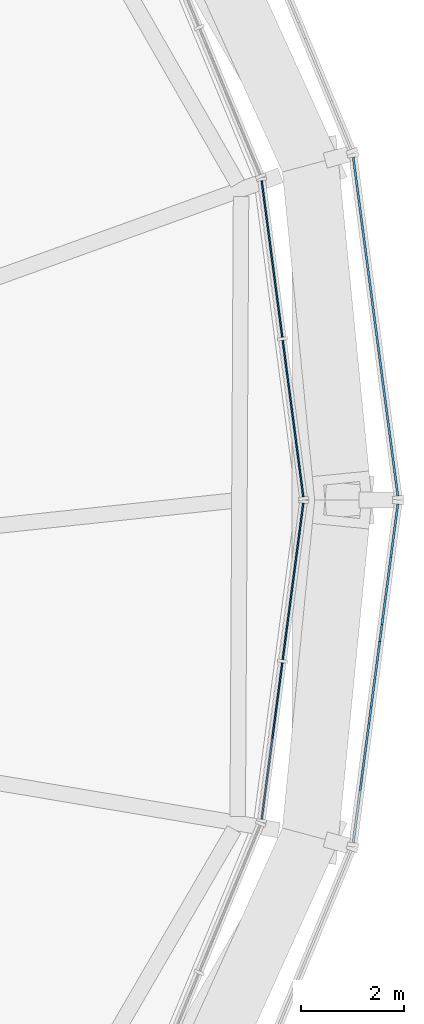
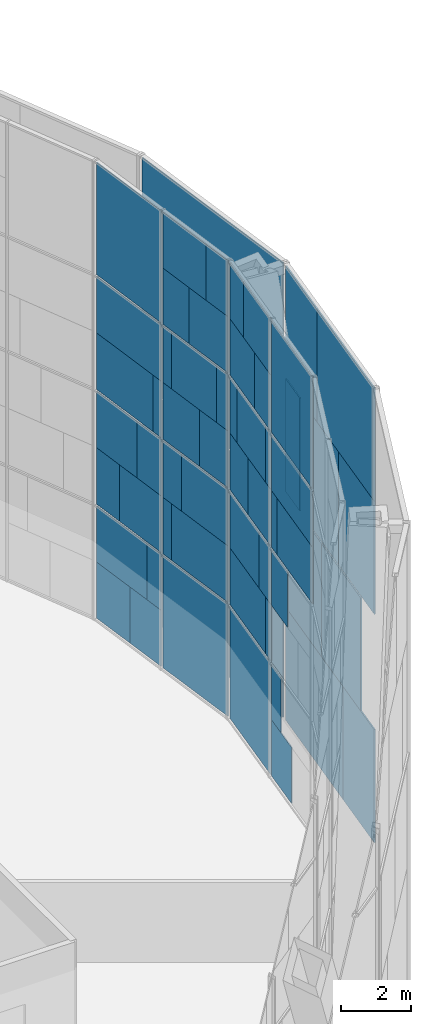
# One storey, part 20 of 30: 58 plates, 4 elements without a shape of their own.
"""IFC4 building model written with IfcOpenShell, lengths in metres."""

from ifc_helpers import new_model, si_unit, direction, frame, origin, origin_2d, place, context, subcontext, project, spatial, rectangle, extrude, material, layer, layer_set, type_object, element, aggregate, save


model = new_model("IFC4")

# Units and contexts
model_context = context("Model", 3, precision=1e-05, world=origin(), true_north=direction((0.0, 1.0)))
body_context = subcontext(model_context, "Body", "Model", "MODEL_VIEW")
ifc_project = project(units=[si_unit("LENGTHUNIT", "METRE"), si_unit("AREAUNIT", "SQUARE_METRE"), si_unit("VOLUMEUNIT", "CUBIC_METRE"), si_unit("PLANEANGLEUNIT", "RADIAN"), si_unit("MASSUNIT", "GRAM", prefix="KILO")], contexts=[model_context])

# Site, building, storey
site_placement = place(None, origin())
site = spatial("IfcSite", under=ifc_project, at=site_placement, CompositionType="ELEMENT")
building_placement = place(site_placement, origin())
building = spatial("IfcBuilding", under=site, at=building_placement, Name="Golbaran Civic Tower", CompositionType="ELEMENT")
storey_placement = place(building_placement, frame((0.0, 0.0, 167.0)))
storey = spatial("IfcBuildingStorey", under=building, at=storey_placement, Name="L40", CompositionType="ELEMENT", Elevation=167.0)

# Curtain wall, plates
ifc_material_1 = material(Name="Aluminium and glass", Category="aluminium")
curtain_wall_type_1 = type_object("IfcCurtainWallType", Name="INNER SKIN CURTAIN WALL EXECUTIVE", PredefinedType="NOTDEFINED", material=ifc_material_1)
curtain_wall_1_placement = place(storey_placement, origin())
curtain_wall_1 = element("IfcCurtainWall", 1, at=curtain_wall_1_placement, inside=storey, type_object=curtain_wall_type_1, Name="Inner skin L40 facet 1 CW2", ObjectType="INNER SKIN", PredefinedType="USERDEFINED")
ifc_material_2 = material(Name="Clear insulating glass", Category="glass")
ifc_layer_1 = layer(ifc_material_2, 0.031982421875, Name="Clear insulating glass")
ifc_layer_set_1 = layer_set([ifc_layer_1], Name="Clear insulating glass")
plate_type_1 = type_object("IfcPlateType", Name="INNER SKIN CURTAIN WALL EXECUTIVE GLAZED PANEL", PredefinedType="CURTAIN_PANEL", material=ifc_layer_set_1)
plate_1_placement = place(storey_placement, frame((23.8759765625, 1.5732421875, 0.06005859375), z_axis=(0.0, 0.0, 1.0), x_axis=(-0.130526192151, 0.991444861383, 0.0)))
plate_1 = element("IfcPlate", 2, at=plate_1_placement, type_object=plate_type_1, Name="CW2 panel 1.1", PredefinedType="CURTAIN_PANEL", context=body_context, shape_type="SweptSolid", body=[
    extrude(rectangle(XDim=3.053466796875, YDim=0.031982421875, at=origin_2d()), origin(), (0.0, 0.0, 1.0), 3.909912109375),
])
plate_2_placement = place(storey_placement, frame((23.902099609375, 1.3740234375, 4.02978515625), z_axis=(0.0, 0.0, 1.0), x_axis=(-0.130526192151, 0.991444861383, 0.0)))
plate_2 = element("IfcPlate", 3, at=plate_2_placement, type_object=plate_type_1, Name="CW2 panel 1.2 part 1", PredefinedType="CURTAIN_PANEL", context=body_context, shape_type="SweptSolid", body=[
    extrude(rectangle(XDim=2.652099609375, YDim=0.031982421875, at=origin_2d()), origin(), (0.0, 0.0, 1.0), 1.969970703125),
])
plate_3_placement = place(storey_placement, frame((23.93359375, 1.134765625, 6.0), z_axis=(0.0, 0.0, 1.0), x_axis=(-0.130526192151, 0.991444861383, 0.0)))
plate_3 = element("IfcPlate", 4, at=plate_3_placement, type_object=plate_type_1, Name="CW2 panel 1.2 part 3", PredefinedType="CURTAIN_PANEL", context=body_context, shape_type="SweptSolid", body=[
    extrude(rectangle(XDim=2.1689453125, YDim=0.031982421875, at=origin_2d()), origin(), (0.0, 0.0, 1.0), 1.969970703125),
])
plate_4_placement = place(storey_placement, frame((23.987548828125, 0.724853515625, 8.02978515625), z_axis=(0.0, 0.0, 1.0), x_axis=(-0.130526192151, 0.991444861383, 0.0)))
plate_4 = element("IfcPlate", 5, at=plate_4_placement, type_object=plate_type_1, Name="CW2 panel 1.3 part 1", PredefinedType="CURTAIN_PANEL", context=body_context, shape_type="SweptSolid", body=[
    extrude(rectangle(XDim=1.342041015625, YDim=0.031982421875, at=origin_2d()), origin(), (0.0, 0.0, 1.0), 1.969970703125),
])
plate_5_placement = place(storey_placement, frame((24.0400390625, 0.3271484375, 10.0), z_axis=(0.0, 0.0, 1.0), x_axis=(-0.130526192151, 0.991444861383, 0.0)))
plate_5 = element("IfcPlate", 6, at=plate_5_placement, type_object=plate_type_1, Name="CW2 panel 1.3 part 3", PredefinedType="CURTAIN_PANEL", context=body_context, shape_type="SweptSolid", body=[
    extrude(rectangle(XDim=0.5400390625, YDim=0.031982421875, at=origin_2d()), origin(), (0.0, 0.0, 1.0), 1.969970703125),
])
plate_6_placement = place(storey_placement, frame((23.703125, 2.884765625, 10.0), z_axis=(0.0, 0.0, 1.0), x_axis=(-0.130526192151, 0.991444861383, 0.0)))
plate_6 = element("IfcPlate", 7, at=plate_6_placement, type_object=plate_type_1, Name="CW2 panel 1.3 part 5", PredefinedType="CURTAIN_PANEL", context=body_context, shape_type="SweptSolid", body=[
    extrude(rectangle(XDim=0.407470703125, YDim=0.031982421875, at=origin_2d()), origin(), (0.0, 0.0, 1.0), 1.969970703125),
])
plate_7_placement = place(storey_placement, frame((23.757080078125, 2.475341796875, 12.030029296875), z_axis=(0.0, 0.0, 1.0), x_axis=(-0.130526192151, 0.991444861383, 0.0)))
plate_7 = element("IfcPlate", 8, at=plate_7_placement, type_object=plate_type_1, Name="CW2 panel 1.4 part 2", PredefinedType="CURTAIN_PANEL", context=body_context, shape_type="SweptSolid", body=[
    extrude(rectangle(XDim=1.2333984375, YDim=0.031982421875, at=origin_2d()), origin(), (0.0, 0.0, 1.0), 1.955078125),
])
plate_8_placement = place(storey_placement, frame((23.80908203125, 2.080810546875, 13.98486328125), z_axis=(0.0, 0.0, 1.0), x_axis=(-0.130526192151, 0.991444861383, 0.0)))
plate_8 = element("IfcPlate", 9, at=plate_8_placement, type_object=plate_type_1, Name="CW2 panel 1.4 part 4", PredefinedType="CURTAIN_PANEL", context=body_context, shape_type="SweptSolid", body=[
    extrude(rectangle(XDim=2.029541015625, YDim=0.031982421875, at=origin_2d()), origin(), (0.0, 0.0, 1.0), 1.955078125),
])
plate_9_placement = place(storey_placement, frame((23.572265625, 3.8798828125, 0.06005859375), z_axis=(0.0, 0.0, 1.0), x_axis=(-0.130526192151, 0.991444861383, 0.0)))
plate_9 = element("IfcPlate", 10, at=plate_9_placement, type_object=plate_type_1, Name="CW2 panel 2.1 part 1", PredefinedType="CURTAIN_PANEL", context=body_context, shape_type="SweptSolid", body=[
    extrude(rectangle(XDim=1.47998046875, YDim=0.031982421875, at=origin_2d()), origin(), (0.0, 0.0, 1.0), 1.955078125),
])
plate_10_placement = place(storey_placement, frame((23.6240234375, 3.4853515625, 2.014892578125), z_axis=(0.0, 0.0, 1.0), x_axis=(-0.130526192151, 0.991444861383, 0.0)))
plate_10 = element("IfcPlate", 11, at=plate_10_placement, type_object=plate_type_1, Name="CW2 panel 2.1 part 3", PredefinedType="CURTAIN_PANEL", context=body_context, shape_type="SweptSolid", body=[
    extrude(rectangle(XDim=0.68408203125, YDim=0.031982421875, at=origin_2d()), origin(), (0.0, 0.0, 1.0), 1.955078125),
])
plate_11_placement = place(storey_placement, frame((23.34130859375, 5.633544921875, 4.02978515625), z_axis=(0.0, 0.0, 1.0), x_axis=(-0.130526192151, 0.991444861383, 0.0)))
plate_11 = element("IfcPlate", 12, at=plate_11_placement, type_object=plate_type_1, Name="CW2 panel 2.2 part 2", PredefinedType="CURTAIN_PANEL", context=body_context, shape_type="SweptSolid", body=[
    extrude(rectangle(XDim=1.08935546875, YDim=0.031982421875, at=origin_2d()), origin(), (0.0, 0.0, 1.0), 1.969970703125),
])
plate_12_placement = place(storey_placement, frame((23.393798828125, 5.235595703125, 6.0), z_axis=(0.0, 0.0, 1.0), x_axis=(-0.130526192151, 0.991444861383, 0.0)))
plate_12 = element("IfcPlate", 13, at=plate_12_placement, type_object=plate_type_1, Name="CW2 panel 2.2 part 4", PredefinedType="CURTAIN_PANEL", context=body_context, shape_type="SweptSolid", body=[
    extrude(rectangle(XDim=1.892578125, YDim=0.031982421875, at=origin_2d()), origin(), (0.0, 0.0, 1.0), 1.969970703125),
])
plate_13_placement = place(storey_placement, frame((23.443359375, 4.85888671875, 8.02978515625), z_axis=(0.0, 0.0, 1.0), x_axis=(-0.130526192151, 0.991444861383, 0.0)))
plate_13 = element("IfcPlate", 14, at=plate_13_placement, type_object=plate_type_1, Name="CW2 panel 2.3 part 2", PredefinedType="CURTAIN_PANEL", context=body_context, shape_type="SweptSolid", body=[
    extrude(rectangle(XDim=2.65234375, YDim=0.031982421875, at=origin_2d()), origin(), (0.0, 0.0, 1.0), 1.969970703125),
])
plate_14_placement = place(storey_placement, frame((23.469482421875, 4.659912109375, 10.0), z_axis=(0.0, 0.0, 1.0), x_axis=(-0.130526192151, 0.991444861383, 0.0)))
plate_14 = element("IfcPlate", 15, at=plate_14_placement, type_object=plate_type_1, Name="CW2 panel 2.3 part 3", PredefinedType="CURTAIN_PANEL", context=body_context, shape_type="SweptSolid", body=[
    extrude(rectangle(XDim=3.053466796875, YDim=0.031982421875, at=origin_2d()), origin(), (0.0, 0.0, 1.0), 1.969970703125),
])
plate_15_placement = place(storey_placement, frame((23.469482421875, 4.659912109375, 12.0302734375), z_axis=(0.0, 0.0, 1.0), x_axis=(-0.130526192151, 0.991444861383, 0.0)))
plate_15 = element("IfcPlate", 16, at=plate_15_placement, type_object=plate_type_1, Name="CW2 panel 2.4", PredefinedType="CURTAIN_PANEL", context=body_context, shape_type="SweptSolid", body=[
    extrude(rectangle(XDim=3.053466796875, YDim=0.031982421875, at=origin_2d()), origin(), (0.0, 0.0, 1.0), 3.909912109375),
])

curtain_wall_2_placement = place(storey_placement, origin())
curtain_wall_2 = element("IfcCurtainWall", 17, at=curtain_wall_2_placement, inside=storey, type_object=curtain_wall_type_1, Name="Inner skin L40 facet 24 CW2", ObjectType="INNER SKIN", PredefinedType="USERDEFINED")
plate_16_placement = place(storey_placement, frame((23.572265625, -3.879638671875, 0.06005859375), z_axis=(0.0, 0.0, 1.0), x_axis=(0.130526192151, 0.991444861383, 0.0)))
plate_16 = element("IfcPlate", 18, at=plate_16_placement, type_object=plate_type_1, Name="CW2 panel 1.1 part 2", PredefinedType="CURTAIN_PANEL", context=body_context, shape_type="SweptSolid", body=[
    extrude(rectangle(XDim=1.4794921875, YDim=0.031982421875, at=origin_2d()), origin(), (0.0, 0.0, 1.0), 1.955078125),
])
plate_17_placement = place(storey_placement, frame((23.624267578125, -3.485107421875, 2.014892578125), z_axis=(0.0, 0.0, 1.0), x_axis=(0.130526192151, 0.991444861383, 0.0)))
plate_17 = element("IfcPlate", 19, at=plate_17_placement, type_object=plate_type_1, Name="CW2 panel 1.1 part 4", PredefinedType="CURTAIN_PANEL", context=body_context, shape_type="SweptSolid", body=[
    extrude(rectangle(XDim=0.683349609375, YDim=0.031982421875, at=origin_2d()), origin(), (0.0, 0.0, 1.0), 1.955078125),
])
plate_18_placement = place(storey_placement, frame((23.443359375, -4.85888671875, 8.02978515625), z_axis=(0.0, 0.0, 1.0), x_axis=(0.130526192151, 0.991444861383, 0.0)))
plate_18 = element("IfcPlate", 20, at=plate_18_placement, type_object=plate_type_1, Name="CW2 panel 1.3 part 1", PredefinedType="CURTAIN_PANEL", context=body_context, shape_type="SweptSolid", body=[
    extrude(rectangle(XDim=2.652099609375, YDim=0.031982421875, at=origin_2d()), origin(), (0.0, 0.0, 1.0), 1.969970703125),
])
plate_19_placement = place(storey_placement, frame((23.469482421875, -4.659912109375, 10.0), z_axis=(0.0, 0.0, 1.0), x_axis=(0.130526192151, 0.991444861383, 0.0)))
plate_19 = element("IfcPlate", 21, at=plate_19_placement, type_object=plate_type_1, Name="CW2 panel 1.3 part 3", PredefinedType="CURTAIN_PANEL", context=body_context, shape_type="SweptSolid", body=[
    extrude(rectangle(XDim=3.053466796875, YDim=0.031982421875, at=origin_2d()), origin(), (0.0, 0.0, 1.0), 1.969970703125),
])
plate_20_placement = place(storey_placement, frame((23.469482421875, -4.659912109375, 12.0302734375), z_axis=(0.0, 0.0, 1.0), x_axis=(0.130526192151, 0.991444861383, 0.0)))
plate_20 = element("IfcPlate", 22, at=plate_20_placement, type_object=plate_type_1, Name="CW2 panel 1.4", PredefinedType="CURTAIN_PANEL", context=body_context, shape_type="SweptSolid", body=[
    extrude(rectangle(XDim=3.053466796875, YDim=0.031982421875, at=origin_2d()), origin(), (0.0, 0.0, 1.0), 3.909912109375),
])
plate_21_placement = place(storey_placement, frame((23.8759765625, -1.5732421875, 0.06005859375), z_axis=(0.0, 0.0, 1.0), x_axis=(0.130526192151, 0.991444861383, 0.0)))
plate_21 = element("IfcPlate", 23, at=plate_21_placement, type_object=plate_type_1, Name="CW2 panel 2.1", PredefinedType="CURTAIN_PANEL", context=body_context, shape_type="SweptSolid", body=[
    extrude(rectangle(XDim=3.053466796875, YDim=0.031982421875, at=origin_2d()), origin(), (0.0, 0.0, 1.0), 3.909912109375),
])
plate_22_placement = place(storey_placement, frame((23.902099609375, -1.374267578125, 4.02978515625), z_axis=(0.0, 0.0, 1.0), x_axis=(0.130526192151, 0.991444861383, 0.0)))
plate_22 = element("IfcPlate", 24, at=plate_22_placement, type_object=plate_type_1, Name="CW2 panel 2.2 part 2", PredefinedType="CURTAIN_PANEL", context=body_context, shape_type="SweptSolid", body=[
    extrude(rectangle(XDim=2.65234375, YDim=0.031982421875, at=origin_2d()), origin(), (0.0, 0.0, 1.0), 1.969970703125),
])
plate_23_placement = place(storey_placement, frame((23.93359375, -1.134521484375, 6.0), z_axis=(0.0, 0.0, 1.0), x_axis=(0.130526192151, 0.991444861383, 0.0)))
plate_23 = element("IfcPlate", 25, at=plate_23_placement, type_object=plate_type_1, Name="CW2 panel 2.2 part 4", PredefinedType="CURTAIN_PANEL", context=body_context, shape_type="SweptSolid", body=[
    extrude(rectangle(XDim=2.16845703125, YDim=0.031982421875, at=origin_2d()), origin(), (0.0, 0.0, 1.0), 1.969970703125),
])
plate_24_placement = place(storey_placement, frame((23.987548828125, -0.724853515625, 8.02978515625), z_axis=(0.0, 0.0, 1.0), x_axis=(0.130526192151, 0.991444861383, 0.0)))
plate_24 = element("IfcPlate", 26, at=plate_24_placement, type_object=plate_type_1, Name="CW2 panel 2.3 part 2", PredefinedType="CURTAIN_PANEL", context=body_context, shape_type="SweptSolid", body=[
    extrude(rectangle(XDim=1.342529296875, YDim=0.031982421875, at=origin_2d()), origin(), (0.0, 0.0, 1.0), 1.969970703125),
])
plate_25_placement = place(storey_placement, frame((23.703125, -2.885009765625, 10.0), z_axis=(0.0, 0.0, 1.0), x_axis=(0.130526192151, 0.991444861383, 0.0)))
plate_25 = element("IfcPlate", 27, at=plate_25_placement, type_object=plate_type_1, Name="CW2 panel 2.3 part 3", PredefinedType="CURTAIN_PANEL", context=body_context, shape_type="SweptSolid", body=[
    extrude(rectangle(XDim=0.406982421875, YDim=0.031982421875, at=origin_2d()), origin(), (0.0, 0.0, 1.0), 1.969970703125),
])
plate_26_placement = place(storey_placement, frame((24.0400390625, -0.326904296875, 10.0), z_axis=(0.0, 0.0, 1.0), x_axis=(0.130526192151, 0.991444861383, 0.0)))
plate_26 = element("IfcPlate", 28, at=plate_26_placement, type_object=plate_type_1, Name="CW2 panel 2.3 part 5", PredefinedType="CURTAIN_PANEL", context=body_context, shape_type="SweptSolid", body=[
    extrude(rectangle(XDim=0.53955078125, YDim=0.031982421875, at=origin_2d()), origin(), (0.0, 0.0, 1.0), 1.969970703125),
])
plate_27_placement = place(storey_placement, frame((23.757080078125, -2.47509765625, 12.030029296875), z_axis=(0.0, 0.0, 1.0), x_axis=(0.130526192151, 0.991444861383, 0.0)))
plate_27 = element("IfcPlate", 29, at=plate_27_placement, type_object=plate_type_1, Name="CW2 panel 2.4 part 1", PredefinedType="CURTAIN_PANEL", context=body_context, shape_type="SweptSolid", body=[
    extrude(rectangle(XDim=1.23388671875, YDim=0.031982421875, at=origin_2d()), origin(), (0.0, 0.0, 1.0), 1.955078125),
])
plate_28_placement = place(storey_placement, frame((23.80908203125, -2.08056640625, 13.98486328125), z_axis=(0.0, 0.0, 1.0), x_axis=(0.130526192151, 0.991444861383, 0.0)))
plate_28 = element("IfcPlate", 30, at=plate_28_placement, type_object=plate_type_1, Name="CW2 panel 2.4 part 3", PredefinedType="CURTAIN_PANEL", context=body_context, shape_type="SweptSolid", body=[
    extrude(rectangle(XDim=2.030029296875, YDim=0.031982421875, at=origin_2d()), origin(), (0.0, 0.0, 1.0), 1.955078125),
])

# Plate
ifc_material_3 = material(Name="Aluminium faced opaque infill panel", Category="aluminium")
ifc_layer_2 = layer(ifc_material_3, 0.031982421875, Name="Aluminium faced opaque infill panel")
ifc_layer_set_2 = layer_set([ifc_layer_2], Name="Aluminium faced opaque infill panel")
plate_type_2 = type_object("IfcPlateType", Name="INNER SKIN CURTAIN WALL EXECUTIVE OPAQUE INFILL PANEL", PredefinedType="CURTAIN_PANEL", material=ifc_layer_set_2)
plate_29_placement = place(storey_placement, frame((23.702880859375, 2.8876953125, 4.02978515625), z_axis=(0.0, 0.0, 1.0), x_axis=(-0.130526192151, 0.991444861383, 0.0)))
plate_29 = element("IfcPlate", 31, at=plate_29_placement, type_object=plate_type_2, Name="CW2 infill panel 1.2 part 2", PredefinedType="CURTAIN_PANEL", context=body_context, shape_type="SweptSolid", body=[
    extrude(rectangle(XDim=0.4013671875, YDim=0.031982421875, at=origin_2d()), origin(), (0.0, 0.0, 1.0), 1.969970703125),
])

plate_30_placement = place(storey_placement, frame((23.734375, 2.6484375, 6.0), z_axis=(0.0, 0.0, 1.0), x_axis=(-0.130526192151, 0.991444861383, 0.0)))
plate_30 = element("IfcPlate", 32, at=plate_30_placement, type_object=plate_type_2, Name="CW2 infill panel 1.2 part 4", PredefinedType="CURTAIN_PANEL", context=body_context, shape_type="SweptSolid", body=[
    extrude(rectangle(XDim=0.884521484375, YDim=0.031982421875, at=origin_2d()), origin(), (0.0, 0.0, 1.0), 1.969970703125),
])

plate_31_placement = place(storey_placement, frame((23.788330078125, 2.238525390625, 8.02978515625), z_axis=(0.0, 0.0, 1.0), x_axis=(-0.130526192151, 0.991444861383, 0.0)))
plate_31 = element("IfcPlate", 33, at=plate_31_placement, type_object=plate_type_2, Name="CW2 infill panel 1.3 part 2", PredefinedType="CURTAIN_PANEL", context=body_context, shape_type="SweptSolid", body=[
    extrude(rectangle(XDim=1.71142578125, YDim=0.031982421875, at=origin_2d()), origin(), (0.0, 0.0, 1.0), 1.969970703125),
])

plate_32_placement = place(storey_placement, frame((23.8671875, 1.638916015625, 10.0), z_axis=(0.0, 0.0, 1.0), x_axis=(-0.130526192151, 0.991444861383, 0.0)))
plate_32 = element("IfcPlate", 34, at=plate_32_placement, type_object=plate_type_2, Name="CW2 infill panel 1.3 part 4", PredefinedType="CURTAIN_PANEL", context=body_context, shape_type="SweptSolid", body=[
    extrude(rectangle(XDim=2.10595703125, YDim=0.031982421875, at=origin_2d()), origin(), (0.0, 0.0, 1.0), 1.969970703125),
])

plate_33_placement = place(storey_placement, frame((23.956298828125, 0.961669921875, 12.030029296875), z_axis=(0.0, 0.0, 1.0), x_axis=(-0.130526192151, 0.991444861383, 0.0)))
plate_33 = element("IfcPlate", 35, at=plate_33_placement, type_object=plate_type_2, Name="CW2 infill panel 1.4 part 1", PredefinedType="CURTAIN_PANEL", context=body_context, shape_type="SweptSolid", body=[
    extrude(rectangle(XDim=1.820068359375, YDim=0.031982421875, at=origin_2d()), origin(), (0.0, 0.0, 1.0), 1.955078125),
])

plate_34_placement = place(storey_placement, frame((24.00830078125, 0.567138671875, 13.98486328125), z_axis=(0.0, 0.0, 1.0), x_axis=(-0.130526192151, 0.991444861383, 0.0)))
plate_34 = element("IfcPlate", 36, at=plate_34_placement, type_object=plate_type_2, Name="CW2 infill panel 1.4 part 3", PredefinedType="CURTAIN_PANEL", context=body_context, shape_type="SweptSolid", body=[
    extrude(rectangle(XDim=1.02392578125, YDim=0.031982421875, at=origin_2d()), origin(), (0.0, 0.0, 1.0), 1.955078125),
])

plate_35_placement = place(storey_placement, frame((23.372802734375, 5.3935546875, 0.06005859375), z_axis=(0.0, 0.0, 1.0), x_axis=(-0.130526192151, 0.991444861383, 0.0)))
plate_35 = element("IfcPlate", 37, at=plate_35_placement, type_object=plate_type_2, Name="CW2 infill panel 2.1 part 2", PredefinedType="CURTAIN_PANEL", context=body_context, shape_type="SweptSolid", body=[
    extrude(rectangle(XDim=1.573486328125, YDim=0.031982421875, at=origin_2d()), origin(), (0.0, 0.0, 1.0), 1.955078125),
])

plate_36_placement = place(storey_placement, frame((23.4248046875, 4.9990234375, 2.014892578125), z_axis=(0.0, 0.0, 1.0), x_axis=(-0.130526192151, 0.991444861383, 0.0)))
plate_36 = element("IfcPlate", 38, at=plate_36_placement, type_object=plate_type_2, Name="CW2 infill panel 2.1 part 4", PredefinedType="CURTAIN_PANEL", context=body_context, shape_type="SweptSolid", body=[
    extrude(rectangle(XDim=2.369384765625, YDim=0.031982421875, at=origin_2d()), origin(), (0.0, 0.0, 1.0), 1.955078125),
])

plate_37_placement = place(storey_placement, frame((23.54052734375, 4.119873046875, 4.02978515625), z_axis=(0.0, 0.0, 1.0), x_axis=(-0.130526192151, 0.991444861383, 0.0)))
plate_37 = element("IfcPlate", 39, at=plate_37_placement, type_object=plate_type_2, Name="CW2 infill panel 2.2 part 1", PredefinedType="CURTAIN_PANEL", context=body_context, shape_type="SweptSolid", body=[
    extrude(rectangle(XDim=1.964111328125, YDim=0.031982421875, at=origin_2d()), origin(), (0.0, 0.0, 1.0), 1.969970703125),
])

plate_38_placement = place(storey_placement, frame((23.593017578125, 3.721923828125, 6.0), z_axis=(0.0, 0.0, 1.0), x_axis=(-0.130526192151, 0.991444861383, 0.0)))
plate_38 = element("IfcPlate", 40, at=plate_38_placement, type_object=plate_type_2, Name="CW2 infill panel 2.2 part 3", PredefinedType="CURTAIN_PANEL", context=body_context, shape_type="SweptSolid", body=[
    extrude(rectangle(XDim=1.160888671875, YDim=0.031982421875, at=origin_2d()), origin(), (0.0, 0.0, 1.0), 1.969970703125),
])

plate_39_placement = place(storey_placement, frame((23.642578125, 3.34521484375, 8.02978515625), z_axis=(0.0, 0.0, 1.0), x_axis=(-0.130526192151, 0.991444861383, 0.0)))
plate_39 = element("IfcPlate", 41, at=plate_39_placement, type_object=plate_type_2, Name="CW2 infill panel 2.3 part 1", PredefinedType="CURTAIN_PANEL", context=body_context, shape_type="SweptSolid", body=[
    extrude(rectangle(XDim=0.40087890625, YDim=0.031982421875, at=origin_2d()), origin(), (0.0, 0.0, 1.0), 1.969970703125),
])

aggregate(curtain_wall_1, [plate_1, plate_2, plate_29, plate_3, plate_30, plate_4, plate_31, plate_5, plate_32, plate_6, plate_33, plate_7, plate_34, plate_8, plate_9, plate_35, plate_10, plate_36, plate_37, plate_11, plate_38, plate_12, plate_39, plate_13, plate_14, plate_15])

plate_40_placement = place(storey_placement, frame((23.593017578125, -3.72216796875, 6.0), z_axis=(0.0, 0.0, 1.0), x_axis=(0.130526192151, 0.991444861383, 0.0)))
plate_40 = element("IfcPlate", 42, at=plate_40_placement, type_object=plate_type_2, Name="CW2 infill panel 1.2 part 4", PredefinedType="CURTAIN_PANEL", context=body_context, shape_type="SweptSolid", body=[
    extrude(rectangle(XDim=1.161376953125, YDim=0.031982421875, at=origin_2d()), origin(), (0.0, 0.0, 1.0), 1.969970703125),
])

plate_41_placement = place(storey_placement, frame((23.642578125, -3.34521484375, 8.02978515625), z_axis=(0.0, 0.0, 1.0), x_axis=(0.130526192151, 0.991444861383, 0.0)))
plate_41 = element("IfcPlate", 43, at=plate_41_placement, type_object=plate_type_2, Name="CW2 infill panel 1.3 part 2", PredefinedType="CURTAIN_PANEL", context=body_context, shape_type="SweptSolid", body=[
    extrude(rectangle(XDim=0.4013671875, YDim=0.031982421875, at=origin_2d()), origin(), (0.0, 0.0, 1.0), 1.969970703125),
])

plate_42_placement = place(storey_placement, frame((23.702880859375, -2.887939453125, 4.02978515625), z_axis=(0.0, 0.0, 1.0), x_axis=(0.130526192151, 0.991444861383, 0.0)))
plate_42 = element("IfcPlate", 44, at=plate_42_placement, type_object=plate_type_2, Name="CW2 infill panel 2.2 part 1", PredefinedType="CURTAIN_PANEL", context=body_context, shape_type="SweptSolid", body=[
    extrude(rectangle(XDim=0.40087890625, YDim=0.031982421875, at=origin_2d()), origin(), (0.0, 0.0, 1.0), 1.969970703125),
])

plate_43_placement = place(storey_placement, frame((23.734375, -2.648193359375, 6.0), z_axis=(0.0, 0.0, 1.0), x_axis=(0.130526192151, 0.991444861383, 0.0)))
plate_43 = element("IfcPlate", 45, at=plate_43_placement, type_object=plate_type_2, Name="CW2 infill panel 2.2 part 3", PredefinedType="CURTAIN_PANEL", context=body_context, shape_type="SweptSolid", body=[
    extrude(rectangle(XDim=0.885009765625, YDim=0.031982421875, at=origin_2d()), origin(), (0.0, 0.0, 1.0), 1.969970703125),
])

plate_44_placement = place(storey_placement, frame((23.788330078125, -2.238525390625, 8.02978515625), z_axis=(0.0, 0.0, 1.0), x_axis=(0.130526192151, 0.991444861383, 0.0)))
plate_44 = element("IfcPlate", 46, at=plate_44_placement, type_object=plate_type_2, Name="CW2 infill panel 2.3 part 1", PredefinedType="CURTAIN_PANEL", context=body_context, shape_type="SweptSolid", body=[
    extrude(rectangle(XDim=1.7109375, YDim=0.031982421875, at=origin_2d()), origin(), (0.0, 0.0, 1.0), 1.969970703125),
])

plate_45_placement = place(storey_placement, frame((23.8671875, -1.638916015625, 10.0), z_axis=(0.0, 0.0, 1.0), x_axis=(0.130526192151, 0.991444861383, 0.0)))
plate_45 = element("IfcPlate", 47, at=plate_45_placement, type_object=plate_type_2, Name="CW2 infill panel 2.3 part 4", PredefinedType="CURTAIN_PANEL", context=body_context, shape_type="SweptSolid", body=[
    extrude(rectangle(XDim=2.10693359375, YDim=0.031982421875, at=origin_2d()), origin(), (0.0, 0.0, 1.0), 1.969970703125),
])

plate_46_placement = place(storey_placement, frame((23.95654296875, -0.96142578125, 12.030029296875), z_axis=(0.0, 0.0, 1.0), x_axis=(0.130526192151, 0.991444861383, 0.0)))
plate_46 = element("IfcPlate", 48, at=plate_46_placement, type_object=plate_type_2, Name="CW2 infill panel 2.4 part 2", PredefinedType="CURTAIN_PANEL", context=body_context, shape_type="SweptSolid", body=[
    extrude(rectangle(XDim=1.819580078125, YDim=0.031982421875, at=origin_2d()), origin(), (0.0, 0.0, 1.0), 1.955078125),
])

plate_47_placement = place(storey_placement, frame((24.00830078125, -0.56689453125, 13.98486328125), z_axis=(0.0, 0.0, 1.0), x_axis=(0.130526192151, 0.991444861383, 0.0)))
plate_47 = element("IfcPlate", 49, at=plate_47_placement, type_object=plate_type_2, Name="CW2 infill panel 2.4 part 4", PredefinedType="CURTAIN_PANEL", context=body_context, shape_type="SweptSolid", body=[
    extrude(rectangle(XDim=1.0234375, YDim=0.031982421875, at=origin_2d()), origin(), (0.0, 0.0, 1.0), 1.955078125),
])

aggregate(curtain_wall_2, [plate_16, plate_17, plate_40, plate_18, plate_41, plate_19, plate_20, plate_21, plate_42, plate_22, plate_43, plate_23, plate_44, plate_24, plate_25, plate_45, plate_26, plate_27, plate_46, plate_28, plate_47])

# Curtain wall, plates
curtain_wall_type_2 = type_object("IfcCurtainWallType", Name="OUTER SKIN TERRACOTTA SCREEN", PredefinedType="NOTDEFINED", material=ifc_material_1)
curtain_wall_3_placement = place(storey_placement, origin())
curtain_wall_3 = element("IfcCurtainWall", 50, at=curtain_wall_3_placement, inside=storey, type_object=curtain_wall_type_2, Name="Outer skin L40 facet 24 CW3", ObjectType="OUTER SKIN", PredefinedType="USERDEFINED")
ifc_material_4 = material(Name="Clear laminated glass", Category="glass")
ifc_layer_3 = layer(ifc_material_4, 0.0400390625, Name="Clear laminated glass")
ifc_layer_set_3 = layer_set([ifc_layer_3], Name="Clear laminated glass")
plate_type_3 = type_object("IfcPlateType", Name="OUTER SKIN CLEAR GLASS PANEL", PredefinedType="CURTAIN_PANEL", material=ifc_layer_set_3)
plate_48_placement = place(storey_placement, frame((25.623046875, -2.203369140625, -0.6298828125), z_axis=(0.0, 0.0, 1.0), x_axis=(0.130526192168, 0.991444861381, 0.0)))
plate_48 = element("IfcPlate", 51, at=plate_48_placement, type_object=plate_type_3, Name="CW3 panel 1.1 part 2", PredefinedType="CURTAIN_PANEL", context=body_context, shape_type="SweptSolid", body=[
    extrude(rectangle(XDim=4.28466796875, YDim=0.0400390625, at=origin_2d()), origin(), (0.0, 0.0, 1.0), 3.93994140625),
])
plate_49_placement = place(storey_placement, frame((25.7275390625, -1.408203125, 3.31005859375), z_axis=(0.0, 0.0, 1.0), x_axis=(0.130526192168, 0.991444861381, 0.0)))
plate_49 = element("IfcPlate", 52, at=plate_49_placement, type_object=plate_type_3, Name="CW3 panel 1.1 part 5", PredefinedType="CURTAIN_PANEL", context=body_context, shape_type="SweptSolid", body=[
    extrude(rectangle(XDim=2.6806640625, YDim=0.0400390625, at=origin_2d()), origin(), (0.0, 0.0, 1.0), 3.93994140625),
])
plate_50_placement = place(storey_placement, frame((25.213623046875, -5.312744140625, 7.330078125), z_axis=(0.0, 0.0, 1.0), x_axis=(0.130526192168, 0.991444861381, 0.0)))
plate_50 = element("IfcPlate", 53, at=plate_50_placement, type_object=plate_type_3, Name="CW3 panel 1.2 part 1", PredefinedType="CURTAIN_PANEL", context=body_context, shape_type="SweptSolid", body=[
    extrude(rectangle(XDim=2.652099609375, YDim=0.0400390625, at=origin_2d()), origin(), (0.0, 0.0, 1.0), 3.93994140625),
])
plate_51_placement = place(storey_placement, frame((25.83447265625, -0.5966796875, 7.330078125), z_axis=(0.0, 0.0, 1.0), x_axis=(0.130526192168, 0.991444861381, 0.0)))
plate_51 = element("IfcPlate", 54, at=plate_51_placement, type_object=plate_type_3, Name="CW3 panel 1.2 part 3", PredefinedType="CURTAIN_PANEL", context=body_context, shape_type="SweptSolid", body=[
    extrude(rectangle(XDim=1.043701171875, YDim=0.0400390625, at=origin_2d()), origin(), (0.0, 0.0, 1.0), 3.93994140625),
])
plate_52_placement = place(storey_placement, frame((25.318359375, -4.5166015625, 11.27001953125), z_axis=(0.0, 0.0, 1.0), x_axis=(0.130526192168, 0.991444861381, 0.0)))
plate_52 = element("IfcPlate", 55, at=plate_52_placement, type_object=plate_type_3, Name="CW3 panel 1.2 part 4", PredefinedType="CURTAIN_PANEL", context=body_context, shape_type="SweptSolid", body=[
    extrude(rectangle(XDim=4.258056640625, YDim=0.0400390625, at=origin_2d()), origin(), (0.0, 0.0, 1.0), 3.93994140625),
])
ifc_material_5 = material(Name="Terracotta baguette screen", Category="masonry")
ifc_layer_4 = layer(ifc_material_5, 0.0400390625, Name="Terracotta baguette screen")
ifc_layer_set_4 = layer_set([ifc_layer_4], Name="Terracotta baguette screen")
plate_type_4 = type_object("IfcPlateType", Name="OUTER SKIN TERRACOTTA INFILL PANEL", PredefinedType="CURTAIN_PANEL", material=ifc_layer_set_4)
plate_53_placement = place(storey_placement, frame((25.19189453125, -5.477294921875, -0.6298828125), z_axis=(0.0, 0.0, 1.0), x_axis=(0.130526192168, 0.991444861381, 0.0)))
plate_53 = element("IfcPlate", 56, at=plate_53_placement, type_object=plate_type_4, Name="CW3 infill panel 1.1 part 1", PredefinedType="CURTAIN_PANEL", context=body_context, shape_type="SweptSolid", body=[
    extrude(rectangle(XDim=2.320068359375, YDim=0.0400390625, at=origin_2d()), origin(), (0.0, 0.0, 1.0), 3.93994140625),
])
plate_54_placement = place(storey_placement, frame((25.36279296875, -4.1787109375, 3.31005859375), z_axis=(0.0, 0.0, 1.0), x_axis=(0.130526192168, 0.991444861381, 0.0)))
plate_54 = element("IfcPlate", 57, at=plate_54_placement, type_object=plate_type_4, Name="CW3 infill panel 1.1 part 4", PredefinedType="CURTAIN_PANEL", context=body_context, shape_type="SweptSolid", body=[
    extrude(rectangle(XDim=2.907958984375, YDim=0.0400390625, at=origin_2d()), origin(), (0.0, 0.0, 1.0), 3.93994140625),
])
plate_55_placement = place(storey_placement, frame((25.576416015625, -2.55615234375, 7.330078125), z_axis=(0.0, 0.0, 1.0), x_axis=(0.130526192168, 0.991444861381, 0.0)))
plate_55 = element("IfcPlate", 58, at=plate_55_placement, type_object=plate_type_4, Name="CW3 infill panel 1.2 part 2", PredefinedType="CURTAIN_PANEL", context=body_context, shape_type="SweptSolid", body=[
    extrude(rectangle(XDim=2.908935546875, YDim=0.0400390625, at=origin_2d()), origin(), (0.0, 0.0, 1.0), 3.93994140625),
])
plate_56_placement = place(storey_placement, frame((25.74951171875, -1.24267578125, 11.27001953125), z_axis=(0.0, 0.0, 1.0), x_axis=(0.130526192168, 0.991444861381, 0.0)))
plate_56 = element("IfcPlate", 59, at=plate_56_placement, type_object=plate_type_4, Name="CW3 infill panel 1.2 part 5", PredefinedType="CURTAIN_PANEL", context=body_context, shape_type="SweptSolid", body=[
    extrude(rectangle(XDim=2.3466796875, YDim=0.0400390625, at=origin_2d()), origin(), (0.0, 0.0, 1.0), 3.93994140625),
])
aggregate(curtain_wall_3, [plate_53, plate_48, plate_54, plate_49, plate_50, plate_55, plate_51, plate_52, plate_56])

curtain_wall_4_placement = place(storey_placement, origin())
curtain_wall_4 = element("IfcCurtainWall", 60, at=curtain_wall_4_placement, inside=storey, type_object=curtain_wall_type_2, Name="Outer skin L40 facet 1 CW3", ObjectType="OUTER SKIN", PredefinedType="USERDEFINED")
ifc_layer_5 = layer(ifc_material_5, 0.0400390625, Name="Terracotta baguette screen")
ifc_layer_set_5 = layer_set([ifc_layer_5], Name="Terracotta baguette screen")
plate_type_5 = type_object("IfcPlateType", Name="OUTER SKIN TERRACOTTA SCREEN PANEL", PredefinedType="CURTAIN_PANEL", material=ifc_layer_set_5)
plate_57_placement = place(storey_placement, frame((25.471435546875, 3.353271484375, -0.6298828125), z_axis=(0.0, 0.0, 1.0), x_axis=(-0.130526192168, 0.991444861381, 0.0)))
plate_57 = element("IfcPlate", 61, at=plate_57_placement, type_object=plate_type_5, Name="CW3 terracotta screen panel 1.1", PredefinedType="CURTAIN_PANEL", context=body_context, shape_type="SweptSolid", body=[
    extrude(rectangle(XDim=6.604736328125, YDim=0.0400390625, at=origin_2d()), origin(), (0.0, 0.0, 1.0), 7.8798828125),
])
plate_58_placement = place(storey_placement, frame((25.471435546875, 3.353271484375, 7.330078125), z_axis=(0.0, 0.0, 1.0), x_axis=(-0.130526192168, 0.991444861381, 0.0)))
plate_58 = element("IfcPlate", 62, at=plate_58_placement, type_object=plate_type_5, Name="CW3 terracotta screen panel 1.2", PredefinedType="CURTAIN_PANEL", context=body_context, shape_type="SweptSolid", body=[
    extrude(rectangle(XDim=6.604736328125, YDim=0.0400390625, at=origin_2d()), origin(), (0.0, 0.0, 1.0), 7.8798828125),
])
aggregate(curtain_wall_4, [plate_57, plate_58])

save(model, "model.ifc")
